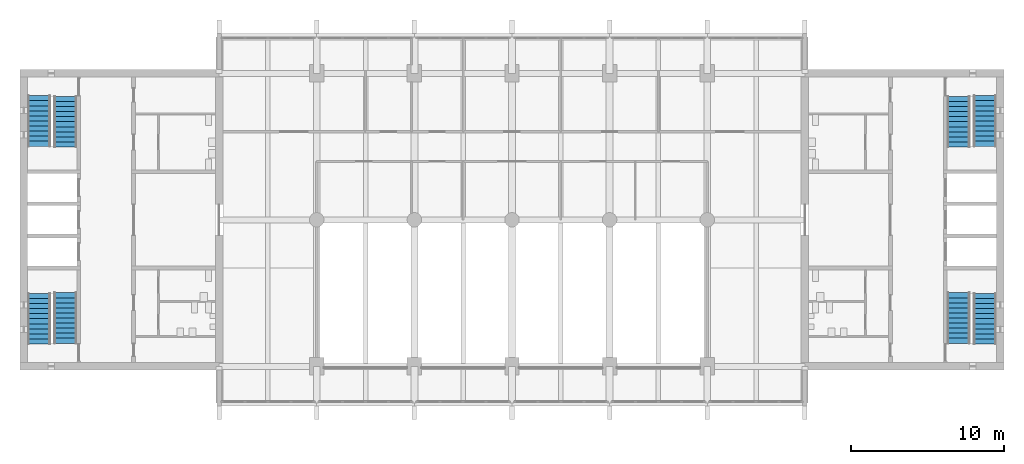
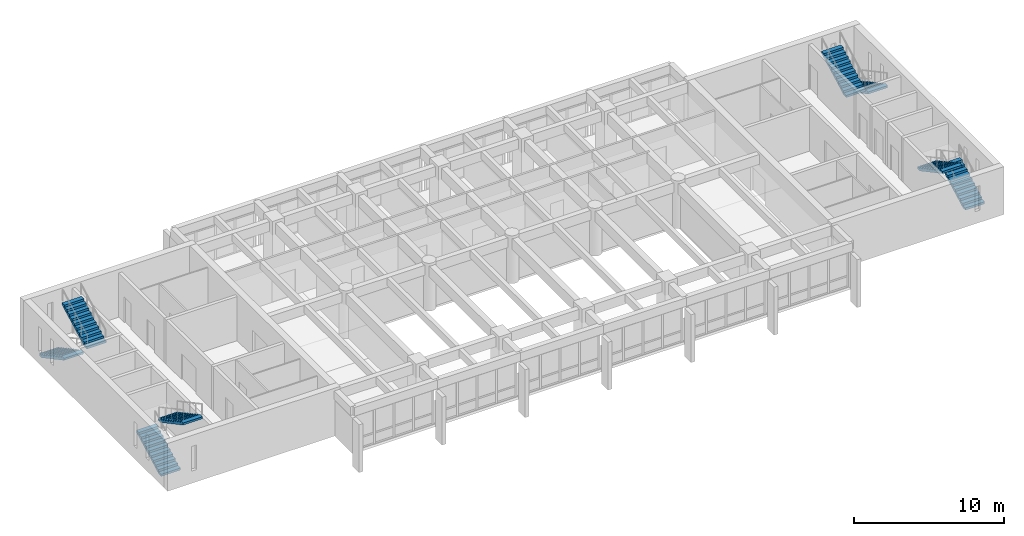
# One storey, part 13 of 15: 8 stair flights, 4 elements without a shape of their own.
"""IFC4 building model written with IfcOpenShell, lengths in metres."""

from ifc_helpers import new_model, si_unit, direction, frame, origin, place, context, subcontext, project, spatial, polyline, outline, extrude, material, type_object, element, aggregate, save


model = new_model("IFC4")

# Units and contexts
model_context = context("Model", 3, precision=1e-05, world=origin(), true_north=direction((0.0, 1.0)))
body_context = subcontext(model_context, "Body", "Model", "MODEL_VIEW")
ifc_project = project(units=[si_unit("LENGTHUNIT", "METRE"), si_unit("AREAUNIT", "SQUARE_METRE"), si_unit("VOLUMEUNIT", "CUBIC_METRE"), si_unit("PLANEANGLEUNIT", "RADIAN"), si_unit("MASSUNIT", "GRAM", prefix="KILO")], contexts=[model_context])

# Site, building, storey
site_placement = place(None, origin())
site = spatial("IfcSite", under=ifc_project, at=site_placement, CompositionType="ELEMENT")
building_placement = place(site_placement, origin())
building = spatial("IfcBuilding", under=site, at=building_placement, Name="Fogon Plaza Fire Station and Headquarters Tower", CompositionType="ELEMENT")
storey_placement = place(building_placement, frame((0.0, 0.0, 36.60009765625)))
storey = spatial("IfcBuildingStorey", under=building, at=storey_placement, Name="L09", CompositionType="ELEMENT", Elevation=36.60009765625)

# Stair, stair flights
ifc_material_1 = material(Name="Concrete C40", Category="concrete")
stair_type = type_object("IfcStairType", Name="Exit Stair Two Flights", PredefinedType="TWO_STRAIGHT_RUN_STAIR", material=ifc_material_1)
stair_1_placement = place(storey_placement, origin())
stair_1 = element("IfcStair", 1, at=stair_1_placement, inside=storey, type_object=stair_type, Name="Stair ST1", PredefinedType="TWO_STRAIGHT_RUN_STAIR")
ifc_material_2 = material(Name="Concrete C40", Category="concrete")
stair_flight_type = type_object("IfcStairFlightType", Name="Stair Flight 11 Risers", PredefinedType="STRAIGHT", material=ifc_material_2)
stair_flight_1_placement = place(storey_placement, frame((13.800048828125, 35.060791015625, 0.0), z_axis=(0.0, 0.0, 1.0), x_axis=(0.0, 1.0, 0.0)))
stair_flight_1 = element("IfcStairFlight", 2, at=stair_flight_1_placement, type_object=stair_flight_type, Name="ST1 flight F21", NumberOfRisers=11, NumberOfTreads=10, PredefinedType="STRAIGHT", RiserHeight=0.177272727, TreadLength=0.3315, context=body_context, shape_type="SweptSolid", body=[
    extrude(outline(polyline([(0.0, 0.0), (0.0, 0.17724609375), (0.33154296875, 0.17724609375), (0.33154296875, 0.3544921875), (0.6630859375, 0.3544921875), (0.6630859375, 0.53173828125), (0.994384765625, 0.53173828125), (0.994384765625, 0.708984375), (1.325927734375, 0.708984375), (1.325927734375, 0.886474609375), (1.657470703125, 0.886474609375), (1.657470703125, 1.063720703125), (1.989013671875, 1.063720703125), (1.989013671875, 1.240966796875), (2.320556640625, 1.240966796875), (2.320556640625, 1.418212890625), (2.652099609375, 1.418212890625), (2.652099609375, 1.595458984375), (2.9833984375, 1.595458984375), (2.9833984375, 1.772705078125), (3.31494140625, 1.772705078125), (3.31494140625, 1.949951171875), (3.31494140625, 1.602783203125), (0.31787109375, 0.0), (0.0, 0.0)])), frame((0.0, 0.75, 0.0), z_axis=(0.0, -1.0, 0.0), x_axis=(1.0, 0.0, 0.0)), (0.0, 0.0, 1.0), 1.5),
])
stair_flight_2_placement = place(storey_placement, frame((15.52490234375, 38.42431640625, 1.949951171875), z_axis=(0.0, 0.0, 1.0), x_axis=(0.0, -1.0, 0.0)))
stair_flight_2 = element("IfcStairFlight", 3, at=stair_flight_2_placement, type_object=stair_flight_type, Name="ST1 flight F22", NumberOfRisers=11, NumberOfTreads=10, PredefinedType="STRAIGHT", RiserHeight=0.177272727, TreadLength=0.3315, context=body_context, shape_type="SweptSolid", body=[
    extrude(outline(polyline([(0.0, 0.0), (0.0, 0.17724609375), (0.33154296875, 0.17724609375), (0.33154296875, 0.3544921875), (0.6630859375, 0.3544921875), (0.6630859375, 0.53173828125), (0.994384765625, 0.53173828125), (0.994384765625, 0.708984375), (1.325927734375, 0.708984375), (1.325927734375, 0.886474609375), (1.657470703125, 0.886474609375), (1.657470703125, 1.063720703125), (1.989013671875, 1.063720703125), (1.989013671875, 1.240966796875), (2.320556640625, 1.240966796875), (2.320556640625, 1.418212890625), (2.652099609375, 1.418212890625), (2.652099609375, 1.595458984375), (2.9833984375, 1.595458984375), (2.9833984375, 1.772705078125), (3.31494140625, 1.772705078125), (3.31494140625, 1.949951171875), (3.31494140625, 1.602783203125), (0.31787109375, 0.0), (0.0, 0.0)])), frame((0.0, 0.75, 0.0), z_axis=(0.0, -1.0, 0.0), x_axis=(1.0, 0.0, 0.0)), (0.0, 0.0, 1.0), 1.5),
])
aggregate(stair_1, [stair_flight_1, stair_flight_2])

stair_2_placement = place(storey_placement, origin())
stair_2 = element("IfcStair", 4, at=stair_2_placement, inside=storey, type_object=stair_type, Name="Stair ST2", PredefinedType="TWO_STRAIGHT_RUN_STAIR")
stair_flight_3_placement = place(storey_placement, frame((13.800048828125, 51.33935546875, 0.0), z_axis=(0.0, 0.0, 1.0), x_axis=(0.0, -1.0, 0.0)))
stair_flight_3 = element("IfcStairFlight", 5, at=stair_flight_3_placement, type_object=stair_flight_type, Name="ST2 flight F21", NumberOfRisers=11, NumberOfTreads=10, PredefinedType="STRAIGHT", RiserHeight=0.177272727, TreadLength=0.3315, context=body_context, shape_type="SweptSolid", body=[
    extrude(outline(polyline([(0.0, 0.0), (0.0, 0.17724609375), (0.33154296875, 0.17724609375), (0.33154296875, 0.3544921875), (0.6630859375, 0.3544921875), (0.6630859375, 0.53173828125), (0.994384765625, 0.53173828125), (0.994384765625, 0.708984375), (1.325927734375, 0.708984375), (1.325927734375, 0.886474609375), (1.657470703125, 0.886474609375), (1.657470703125, 1.063720703125), (1.989013671875, 1.063720703125), (1.989013671875, 1.240966796875), (2.320556640625, 1.240966796875), (2.320556640625, 1.418212890625), (2.652099609375, 1.418212890625), (2.652099609375, 1.595458984375), (2.9833984375, 1.595458984375), (2.9833984375, 1.772705078125), (3.31494140625, 1.772705078125), (3.31494140625, 1.949951171875), (3.31494140625, 1.602783203125), (0.31787109375, 0.0), (0.0, 0.0)])), frame((0.0, 0.75, 0.0), z_axis=(0.0, -1.0, 0.0), x_axis=(1.0, 0.0, 0.0)), (0.0, 0.0, 1.0), 1.5),
])
stair_flight_4_placement = place(storey_placement, frame((15.52490234375, 47.975830078125, 1.949951171875), z_axis=(0.0, 0.0, 1.0), x_axis=(0.0, 1.0, 0.0)))
stair_flight_4 = element("IfcStairFlight", 6, at=stair_flight_4_placement, type_object=stair_flight_type, Name="ST2 flight F22", NumberOfRisers=11, NumberOfTreads=10, PredefinedType="STRAIGHT", RiserHeight=0.177272727, TreadLength=0.3315, context=body_context, shape_type="SweptSolid", body=[
    extrude(outline(polyline([(0.0, 0.0), (0.0, 0.17724609375), (0.33154296875, 0.17724609375), (0.33154296875, 0.3544921875), (0.6630859375, 0.3544921875), (0.6630859375, 0.53173828125), (0.994384765625, 0.53173828125), (0.994384765625, 0.708984375), (1.325927734375, 0.708984375), (1.325927734375, 0.886474609375), (1.657470703125, 0.886474609375), (1.657470703125, 1.063720703125), (1.989013671875, 1.063720703125), (1.989013671875, 1.240966796875), (2.320556640625, 1.240966796875), (2.320556640625, 1.418212890625), (2.652099609375, 1.418212890625), (2.652099609375, 1.595458984375), (2.9833984375, 1.595458984375), (2.9833984375, 1.772705078125), (3.31494140625, 1.772705078125), (3.31494140625, 1.949951171875), (3.31494140625, 1.602783203125), (0.31787109375, 0.0), (0.0, 0.0)])), frame((0.0, 0.75, 0.0), z_axis=(0.0, -1.0, 0.0), x_axis=(1.0, 0.0, 0.0)), (0.0, 0.0, 1.0), 1.5),
])
aggregate(stair_2, [stair_flight_3, stair_flight_4])

stair_3_placement = place(storey_placement, origin())
stair_3 = element("IfcStair", 7, at=stair_3_placement, inside=storey, type_object=stair_type, Name="Stair ST3", PredefinedType="TWO_STRAIGHT_RUN_STAIR")
stair_flight_5_placement = place(storey_placement, frame((75.800048828125, 35.060791015625, 0.0), z_axis=(0.0, 0.0, 1.0), x_axis=(0.0, 1.0, 0.0)))
stair_flight_5 = element("IfcStairFlight", 8, at=stair_flight_5_placement, type_object=stair_flight_type, Name="ST3 flight F21", NumberOfRisers=11, NumberOfTreads=10, PredefinedType="STRAIGHT", RiserHeight=0.177272727, TreadLength=0.3315, context=body_context, shape_type="SweptSolid", body=[
    extrude(outline(polyline([(0.0, 0.0), (0.0, 0.17724609375), (0.33154296875, 0.17724609375), (0.33154296875, 0.3544921875), (0.6630859375, 0.3544921875), (0.6630859375, 0.53173828125), (0.994384765625, 0.53173828125), (0.994384765625, 0.708984375), (1.325927734375, 0.708984375), (1.325927734375, 0.886474609375), (1.657470703125, 0.886474609375), (1.657470703125, 1.063720703125), (1.989013671875, 1.063720703125), (1.989013671875, 1.240966796875), (2.320556640625, 1.240966796875), (2.320556640625, 1.418212890625), (2.652099609375, 1.418212890625), (2.652099609375, 1.595458984375), (2.9833984375, 1.595458984375), (2.9833984375, 1.772705078125), (3.31494140625, 1.772705078125), (3.31494140625, 1.949951171875), (3.31494140625, 1.602783203125), (0.31787109375, 0.0), (0.0, 0.0)])), frame((0.0, 0.75, 0.0), z_axis=(0.0, -1.0, 0.0), x_axis=(1.0, 0.0, 0.0)), (0.0, 0.0, 1.0), 1.5),
])
stair_flight_6_placement = place(storey_placement, frame((74.074951171875, 38.42431640625, 1.949951171875), z_axis=(0.0, 0.0, 1.0), x_axis=(0.0, -1.0, 0.0)))
stair_flight_6 = element("IfcStairFlight", 9, at=stair_flight_6_placement, type_object=stair_flight_type, Name="ST3 flight F22", NumberOfRisers=11, NumberOfTreads=10, PredefinedType="STRAIGHT", RiserHeight=0.177272727, TreadLength=0.3315, context=body_context, shape_type="SweptSolid", body=[
    extrude(outline(polyline([(0.0, 0.0), (0.0, 0.17724609375), (0.33154296875, 0.17724609375), (0.33154296875, 0.3544921875), (0.6630859375, 0.3544921875), (0.6630859375, 0.53173828125), (0.994384765625, 0.53173828125), (0.994384765625, 0.708984375), (1.325927734375, 0.708984375), (1.325927734375, 0.886474609375), (1.657470703125, 0.886474609375), (1.657470703125, 1.063720703125), (1.989013671875, 1.063720703125), (1.989013671875, 1.240966796875), (2.320556640625, 1.240966796875), (2.320556640625, 1.418212890625), (2.652099609375, 1.418212890625), (2.652099609375, 1.595458984375), (2.9833984375, 1.595458984375), (2.9833984375, 1.772705078125), (3.31494140625, 1.772705078125), (3.31494140625, 1.949951171875), (3.31494140625, 1.602783203125), (0.31787109375, 0.0), (0.0, 0.0)])), frame((0.0, 0.75, 0.0), z_axis=(0.0, -1.0, 0.0), x_axis=(1.0, 0.0, 0.0)), (0.0, 0.0, 1.0), 1.5),
])
aggregate(stair_3, [stair_flight_5, stair_flight_6])

stair_4_placement = place(storey_placement, origin())
stair_4 = element("IfcStair", 10, at=stair_4_placement, inside=storey, type_object=stair_type, Name="Stair ST4", PredefinedType="TWO_STRAIGHT_RUN_STAIR")
stair_flight_7_placement = place(storey_placement, frame((75.800048828125, 51.33935546875, 0.0), z_axis=(0.0, 0.0, 1.0), x_axis=(0.0, -1.0, 0.0)))
stair_flight_7 = element("IfcStairFlight", 11, at=stair_flight_7_placement, type_object=stair_flight_type, Name="ST4 flight F21", NumberOfRisers=11, NumberOfTreads=10, PredefinedType="STRAIGHT", RiserHeight=0.177272727, TreadLength=0.3315, context=body_context, shape_type="SweptSolid", body=[
    extrude(outline(polyline([(0.0, 0.0), (0.0, 0.17724609375), (0.33154296875, 0.17724609375), (0.33154296875, 0.3544921875), (0.6630859375, 0.3544921875), (0.6630859375, 0.53173828125), (0.994384765625, 0.53173828125), (0.994384765625, 0.708984375), (1.325927734375, 0.708984375), (1.325927734375, 0.886474609375), (1.657470703125, 0.886474609375), (1.657470703125, 1.063720703125), (1.989013671875, 1.063720703125), (1.989013671875, 1.240966796875), (2.320556640625, 1.240966796875), (2.320556640625, 1.418212890625), (2.652099609375, 1.418212890625), (2.652099609375, 1.595458984375), (2.9833984375, 1.595458984375), (2.9833984375, 1.772705078125), (3.31494140625, 1.772705078125), (3.31494140625, 1.949951171875), (3.31494140625, 1.602783203125), (0.31787109375, 0.0), (0.0, 0.0)])), frame((0.0, 0.75, 0.0), z_axis=(0.0, -1.0, 0.0), x_axis=(1.0, 0.0, 0.0)), (0.0, 0.0, 1.0), 1.5),
])
stair_flight_8_placement = place(storey_placement, frame((74.074951171875, 47.975830078125, 1.949951171875), z_axis=(0.0, 0.0, 1.0), x_axis=(0.0, 1.0, 0.0)))
stair_flight_8 = element("IfcStairFlight", 12, at=stair_flight_8_placement, type_object=stair_flight_type, Name="ST4 flight F22", NumberOfRisers=11, NumberOfTreads=10, PredefinedType="STRAIGHT", RiserHeight=0.177272727, TreadLength=0.3315, context=body_context, shape_type="SweptSolid", body=[
    extrude(outline(polyline([(0.0, 0.0), (0.0, 0.17724609375), (0.33154296875, 0.17724609375), (0.33154296875, 0.3544921875), (0.6630859375, 0.3544921875), (0.6630859375, 0.53173828125), (0.994384765625, 0.53173828125), (0.994384765625, 0.708984375), (1.325927734375, 0.708984375), (1.325927734375, 0.886474609375), (1.657470703125, 0.886474609375), (1.657470703125, 1.063720703125), (1.989013671875, 1.063720703125), (1.989013671875, 1.240966796875), (2.320556640625, 1.240966796875), (2.320556640625, 1.418212890625), (2.652099609375, 1.418212890625), (2.652099609375, 1.595458984375), (2.9833984375, 1.595458984375), (2.9833984375, 1.772705078125), (3.31494140625, 1.772705078125), (3.31494140625, 1.949951171875), (3.31494140625, 1.602783203125), (0.31787109375, 0.0), (0.0, 0.0)])), frame((0.0, 0.75, 0.0), z_axis=(0.0, -1.0, 0.0), x_axis=(1.0, 0.0, 0.0)), (0.0, 0.0, 1.0), 1.5),
])
aggregate(stair_4, [stair_flight_7, stair_flight_8])

save(model, "model.ifc")
